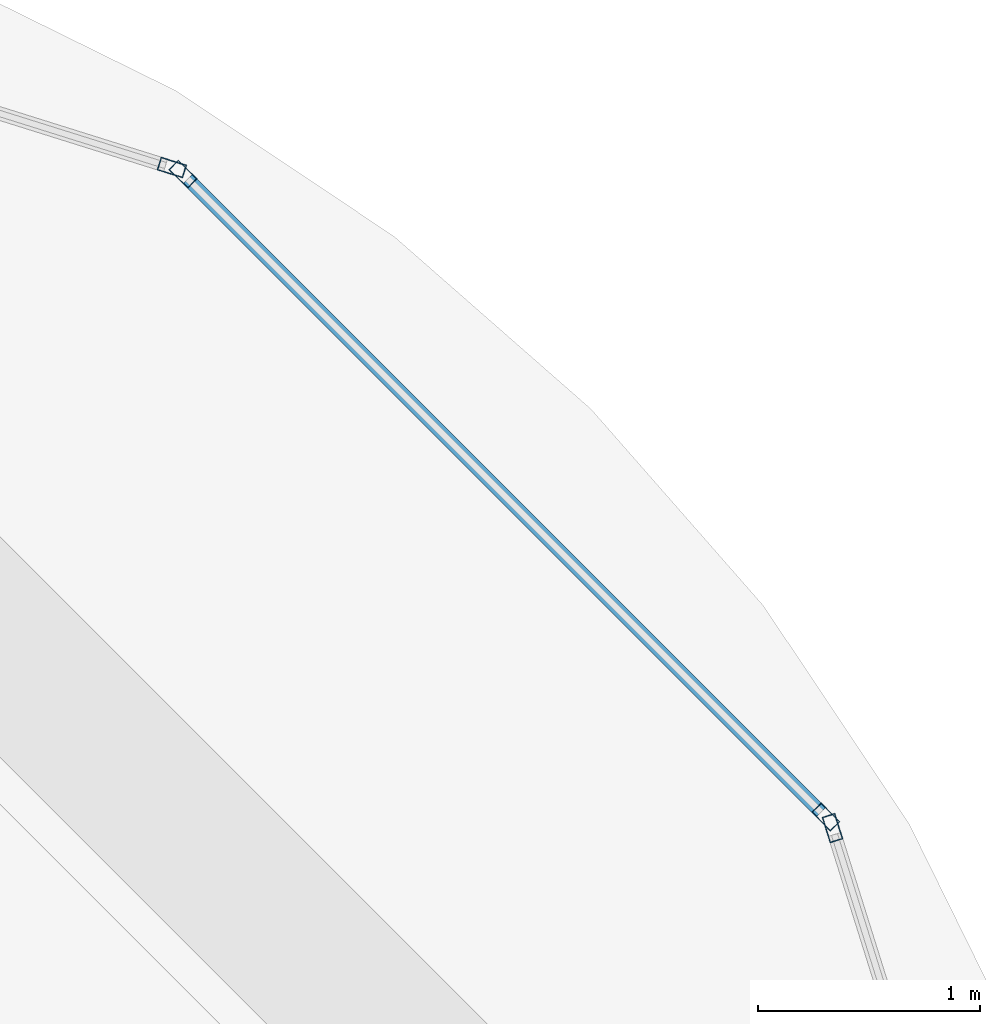
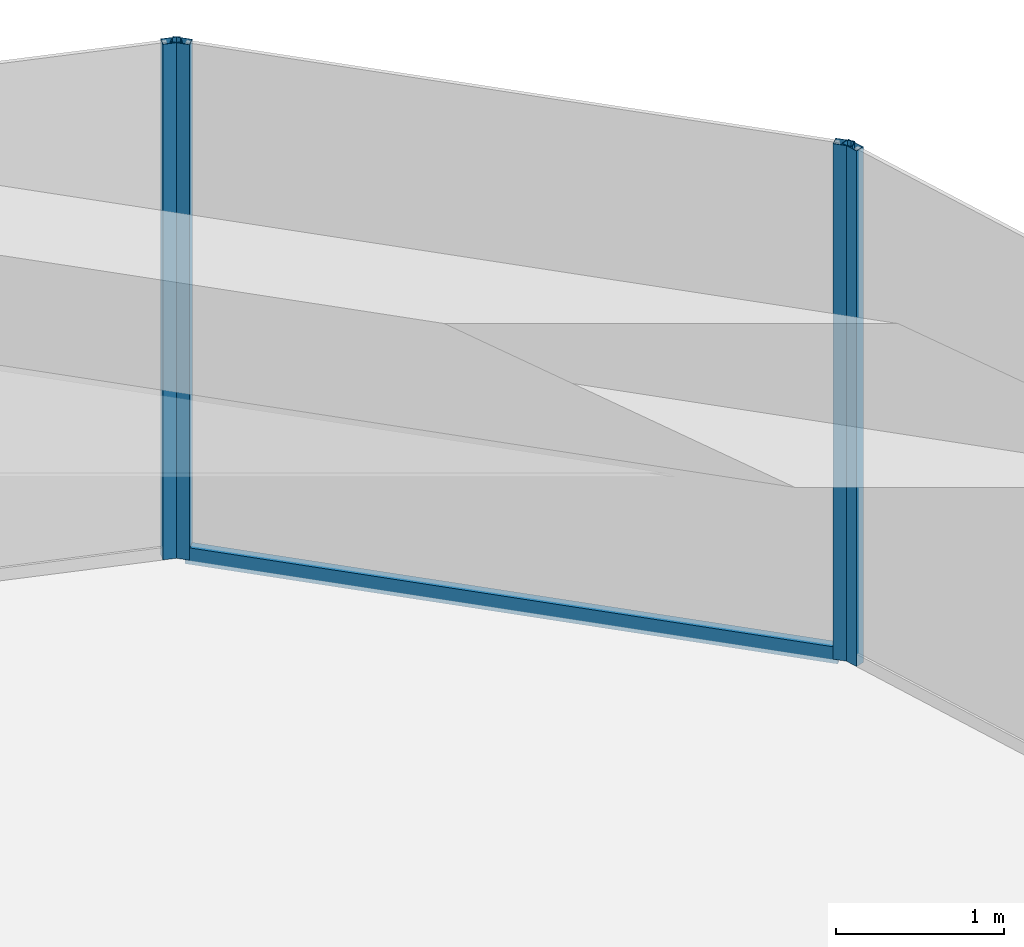
# One storey, part 39 of 44: 5 members, 3 elements without a shape of their own.
"""IFC4 building model written with IfcOpenShell, lengths in metres."""

from ifc_helpers import new_model, si_unit, direction, frame, origin, origin_2d, place, context, subcontext, project, spatial, hollow_rectangle, extrude, material, material_profile, profile_set, type_object, element, aggregate, save


model = new_model("IFC4")

# Units and contexts
model_context = context("Model", 3, precision=1e-05, world=origin(), true_north=direction((0.0, 1.0)))
body_context = subcontext(model_context, "Body", "Model", "MODEL_VIEW")
ifc_project = project(units=[si_unit("LENGTHUNIT", "METRE"), si_unit("AREAUNIT", "SQUARE_METRE"), si_unit("VOLUMEUNIT", "CUBIC_METRE"), si_unit("PLANEANGLEUNIT", "RADIAN"), si_unit("MASSUNIT", "GRAM", prefix="KILO")], contexts=[model_context])

# Site, building, storey
site_placement = place(None, origin())
site = spatial("IfcSite", under=ifc_project, at=site_placement, CompositionType="ELEMENT")
building_placement = place(site_placement, origin())
building = spatial("IfcBuilding", under=site, at=building_placement, Name="Zorevar Civic Tower", CompositionType="ELEMENT")
storey_placement = place(building_placement, frame((0.0, 0.0, 299.39990234375)))
storey = spatial("IfcBuildingStorey", under=building, at=storey_placement, Name="L73", CompositionType="ELEMENT", Elevation=299.39990234375)

# Curtain wall, member
ifc_material_1 = material(Name="Dark grey solar-control glass in black aluminium frame", Category="aluminium")
curtain_wall_type = type_object("IfcCurtainWallType", Name="Curtain wall CW5 top zone", PredefinedType="NOTDEFINED", material=ifc_material_1)
curtain_wall_1_placement = place(storey_placement, origin())
curtain_wall_1 = element("IfcCurtainWall", 1, at=curtain_wall_1_placement, inside=storey, type_object=curtain_wall_type, Name="CW5 L73", PredefinedType="NOTDEFINED")
ifc_material_2 = material(Name="Aluminium, black anodised", Category="aluminium")
ifc_material_profile_1 = material_profile(ifc_material_2, hollow_rectangle(XDim=0.06005859375, YDim=0.1201171875, WallThickness=0.0029296875, at=origin_2d()), Name="AL 120x60x3")
ifc_profile_set_1 = profile_set([ifc_material_profile_1], Name="Aluminium, black anodised")
member_type_1 = type_object("IfcMemberType", Name="CW5 mullion AL 120x60x3", PredefinedType="MULLION", material=ifc_profile_set_1)
member_1_placement = place(storey_placement, frame((52.449951171875, 40.479248046875, 0.0), z_axis=(0.0, 0.0, 1.0), x_axis=(-0.954153437674, -0.299317920238, 0.0)))
member_1 = element("IfcMember", 2, at=member_1_placement, type_object=member_type_1, Name="CW5 mullion 2", PredefinedType="MULLION", context=body_context, shape_type="SweptSolid", body=[
    extrude(hollow_rectangle(XDim=0.06005859375, YDim=0.1201171875, WallThickness=0.0029296875, at=origin_2d()), origin(), (0.0, 0.0, 1.0), 3.75),
])
aggregate(curtain_wall_1, [member_1])

# Curtain wall, members
curtain_wall_2_placement = place(storey_placement, origin())
curtain_wall_2 = element("IfcCurtainWall", 3, at=curtain_wall_2_placement, inside=storey, type_object=curtain_wall_type, Name="CW5 L73", PredefinedType="NOTDEFINED")
member_2_placement = place(storey_placement, frame((52.419677734375, 40.529052734375, 0.0), z_axis=(0.0, 0.0, 1.0), x_axis=(-0.707106781187, -0.707106781187, 0.0)))
member_2 = element("IfcMember", 4, at=member_2_placement, type_object=member_type_1, Name="CW5 mullion 1", PredefinedType="MULLION", context=body_context, shape_type="SweptSolid", body=[
    extrude(hollow_rectangle(XDim=0.06005859375, YDim=0.1201171875, WallThickness=0.0029296875, at=origin_2d()), origin(), (0.0, 0.0, 1.0), 3.75),
])
member_3_placement = place(storey_placement, frame((49.529052734375, 43.419677734375, 0.0), z_axis=(0.0, 0.0, 1.0), x_axis=(-0.707106781187, -0.707106781187, 0.0)))
member_3 = element("IfcMember", 5, at=member_3_placement, type_object=member_type_1, Name="CW5 mullion 2", PredefinedType="MULLION", context=body_context, shape_type="SweptSolid", body=[
    extrude(hollow_rectangle(XDim=0.06005859375, YDim=0.1201171875, WallThickness=0.0029296875, at=origin_2d()), origin(), (0.0, 0.0, 1.0), 3.75),
])

# Curtain wall, member
curtain_wall_3_placement = place(storey_placement, origin())
curtain_wall_3 = element("IfcCurtainWall", 6, at=curtain_wall_3_placement, inside=storey, type_object=curtain_wall_type, Name="CW5 L73", PredefinedType="NOTDEFINED")
member_4_placement = place(storey_placement, frame((49.479248046875, 43.449951171875, 0.0), z_axis=(0.0, 0.0, 1.0), x_axis=(-0.299317920238, -0.954153437674, 0.0)))
member_4 = element("IfcMember", 7, at=member_4_placement, type_object=member_type_1, Name="CW5 mullion 1", PredefinedType="MULLION", context=body_context, shape_type="SweptSolid", body=[
    extrude(hollow_rectangle(XDim=0.06005859375, YDim=0.1201171875, WallThickness=0.0029296875, at=origin_2d()), origin(), (0.0, 0.0, 1.0), 3.75),
])
aggregate(curtain_wall_3, [member_4])

# Member
ifc_material_3 = material(Name="Aluminium, black anodised", Category="aluminium")
ifc_material_profile_2 = material_profile(ifc_material_3, hollow_rectangle(XDim=0.06005859375, YDim=0.1201171875, WallThickness=0.0029296875, at=origin_2d()), Name="AL 120x60x3")
ifc_profile_set_2 = profile_set([ifc_material_profile_2], Name="Aluminium, black anodised")
member_type_2 = type_object("IfcMemberType", Name="CW5 transom AL 120x60x3", PredefinedType="USERDEFINED", material=ifc_profile_set_2)
member_5_placement = place(storey_placement, frame((52.3984375, 40.55029296875, 0.030029296875), z_axis=(-0.707106781187, 0.707106781187, 0.0), x_axis=(-0.707106781187, -0.707106781187, 0.0)))
member_5 = element("IfcMember", 8, at=member_5_placement, type_object=member_type_2, Name="CW5 sill transom", ObjectType="TRANSOM", PredefinedType="USERDEFINED", context=body_context, shape_type="SweptSolid", body=[
    extrude(hollow_rectangle(XDim=0.06005859375, YDim=0.1201171875, WallThickness=0.0029296875, at=origin_2d()), origin(), (0.0, 0.0, 1.0), 4.02783203125),
])

aggregate(curtain_wall_2, [member_2, member_3, member_5])

save(model, "model.ifc")
